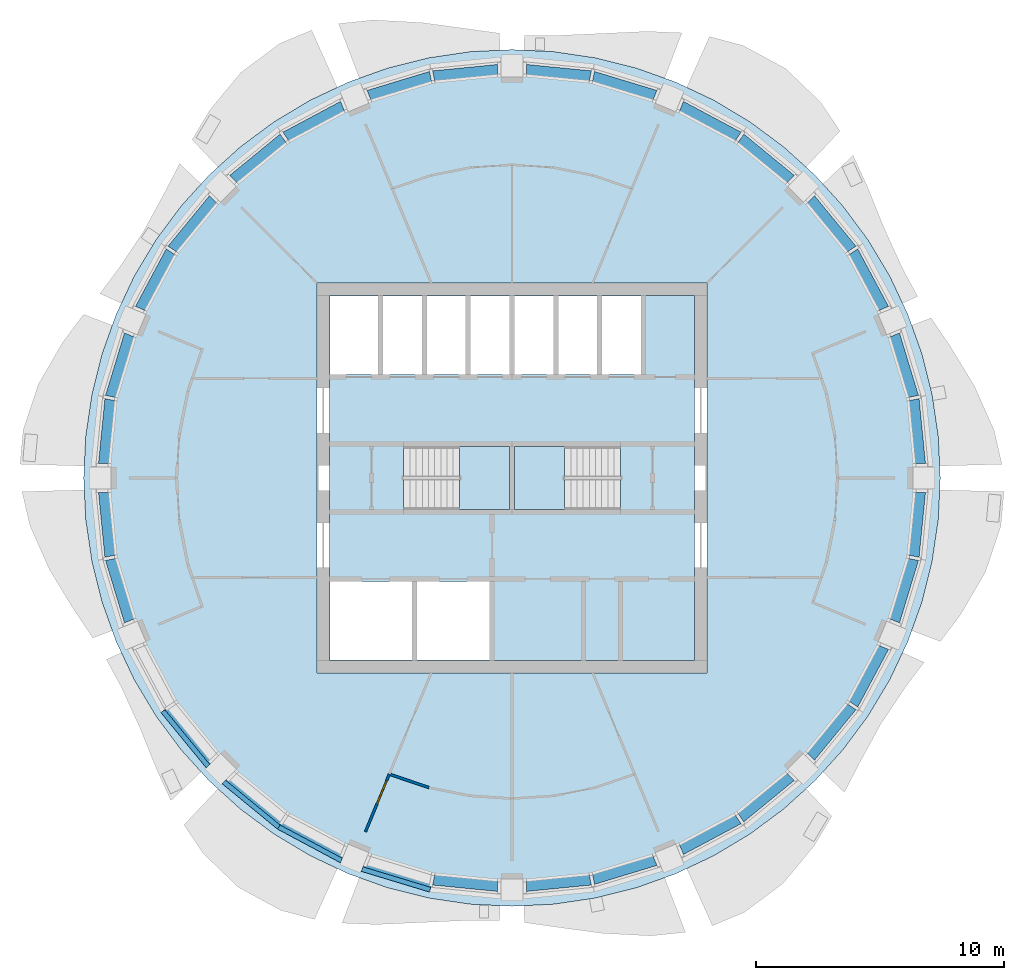
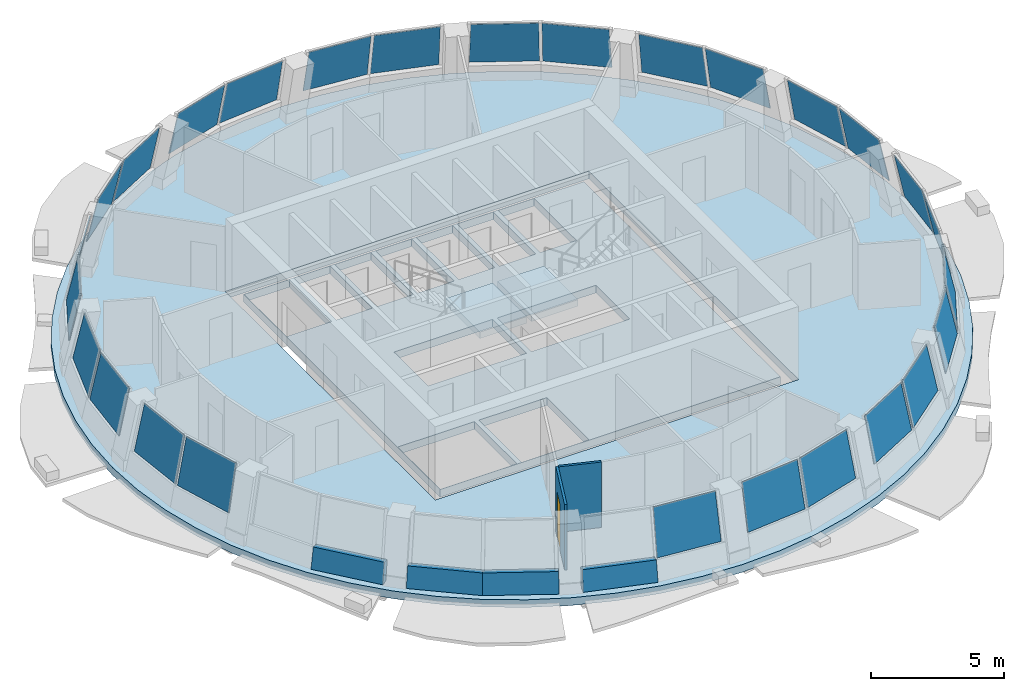
# One storey, part 3 of 11: 27 plates, 6 walls, 4 slabs, 1 door, 1 opening, 16 elements without a shape of their own.
"""IFC4 building model written with IfcOpenShell, lengths in metres."""

from ifc_helpers import new_model, si_unit, direction, frame, frame_2d, origin, place, context, subcontext, project, spatial, polyline, rectangle, outline, extrude, material, layer, layer_set, type_object, element, fill, aggregate, save


model = new_model("IFC4")

# Units and contexts
model_context = context("Model", 3, precision=1e-05, world=origin(), true_north=direction((0.0, 1.0)))
body_context = subcontext(model_context, "Body", "Model", "MODEL_VIEW")
ifc_project = project(units=[si_unit("LENGTHUNIT", "METRE"), si_unit("AREAUNIT", "SQUARE_METRE"), si_unit("VOLUMEUNIT", "CUBIC_METRE"), si_unit("PLANEANGLEUNIT", "RADIAN"), si_unit("MASSUNIT", "GRAM", prefix="KILO")], contexts=[model_context])

# Site, building, storey
site_placement = place(None, origin())
site = spatial("IfcSite", under=ifc_project, at=site_placement, CompositionType="ELEMENT")
building_placement = place(site_placement, origin())
building = spatial("IfcBuilding", under=site, at=building_placement, Name="Polderwave Tower", CompositionType="ELEMENT")
storey_placement = place(building_placement, frame((0.0, 0.0, 204.39990234375)))
storey = spatial("IfcBuildingStorey", under=building, at=storey_placement, Name="L55", CompositionType="ELEMENT", Elevation=204.39990234375)

# Slab
ifc_material_1 = material(Name="Concrete C40/50", Category="concrete")
ifc_layer_1 = layer(ifc_material_1, 0.35009765625)
ifc_layer_set_1 = layer_set([ifc_layer_1], Name="Core floor slab 350")
slab_type_1 = type_object("IfcSlabType", Name="Core floor slab 350", PredefinedType="FLOOR", material=ifc_layer_set_1)
slab_1_placement = place(storey_placement, frame((0.0, 0.0, -0.349853515625)))
element("IfcSlab", 1, at=slab_1_placement, inside=storey, type_object=slab_type_1, Name="L55 core floor", PredefinedType="FLOOR", context=body_context, shape_type="SweptSolid", body=[
    extrude(outline(polyline([(-7.3740234375, -7.3740234375), (7.3740234375, -7.3740234375), (7.3740234375, 7.3740234375), (-7.3740234375, 7.3740234375), (-7.3740234375, -7.3740234375)]), holes=[polyline([(-7.35400390625, -7.35400390625), (-4.037109375, -7.35400390625), (-4.037109375, -4.174072265625), (-7.35400390625, -4.174072265625), (-7.35400390625, -7.35400390625)]), polyline([(-3.8369140625, -7.35400390625), (-0.89990234375, -7.35400390625), (-0.89990234375, -4.174072265625), (-3.8369140625, -4.174072265625), (-3.8369140625, -7.35400390625)]), polyline([(-7.35400390625, 4.174072265625), (-5.405517578125, 4.174072265625), (-5.405517578125, 7.35400390625), (-7.35400390625, 7.35400390625), (-7.35400390625, 4.174072265625)]), polyline([(-5.20556640625, 4.174072265625), (-3.636962890625, 4.174072265625), (-3.636962890625, 7.35400390625), (-5.20556640625, 7.35400390625), (-5.20556640625, 4.174072265625)]), polyline([(-3.43701171875, 4.174072265625), (-1.868408203125, 4.174072265625), (-1.868408203125, 7.35400390625), (-3.43701171875, 7.35400390625), (-3.43701171875, 4.174072265625)]), polyline([(-1.66845703125, 4.174072265625), (-0.10009765625, 4.174072265625), (-0.10009765625, 7.35400390625), (-1.66845703125, 7.35400390625), (-1.66845703125, 4.174072265625)]), polyline([(0.10009765625, 4.174072265625), (1.66845703125, 4.174072265625), (1.66845703125, 7.35400390625), (0.10009765625, 7.35400390625), (0.10009765625, 4.174072265625)]), polyline([(1.868408203125, 4.174072265625), (3.43701171875, 4.174072265625), (3.43701171875, 7.35400390625), (1.868408203125, 7.35400390625), (1.868408203125, 4.174072265625)]), polyline([(3.636962890625, 4.174072265625), (5.20556640625, 4.174072265625), (5.20556640625, 7.35400390625), (3.636962890625, 7.35400390625), (3.636962890625, 4.174072265625)]), polyline([(-4.37353515625, -1.2744140625), (-0.1005859375, -1.2744140625), (-0.1005859375, 1.2744140625), (-4.37353515625, 1.2744140625), (-4.37353515625, -1.2744140625)]), polyline([(0.1005859375, -1.2744140625), (4.37353515625, -1.2744140625), (4.37353515625, 1.2744140625), (0.1005859375, 1.2744140625), (0.1005859375, -1.2744140625)])]), origin(), (0.0, 0.0, 1.0), 0.349853515625),
])

# Curtain wall, plates
ifc_material_2 = material(Name="Aluminium 6063-T6 and glass", Category="aluminium")
curtain_wall_type = type_object("IfcCurtainWallType", Name="Office ribbon glazing, leaning storey wall", PredefinedType="NOTDEFINED", material=ifc_material_2)
curtain_wall_1_placement = place(storey_placement, origin())
curtain_wall_1 = element("IfcCurtainWall", 2, at=curtain_wall_1_placement, inside=storey, type_object=curtain_wall_type, Name="CW9 L55 00", PredefinedType="NOTDEFINED")
ifc_material_3 = material(Name="Glass, low-e laminated double glazing", Category="glass")
ifc_layer_2 = layer(ifc_material_3, 0.031982421875)
ifc_layer_set_2 = layer_set([ifc_layer_2], Name="Office ribbon glazing, leaning storey glass panel 32 mm")
plate_type = type_object("IfcPlateType", Name="Office ribbon glazing, leaning storey glass panel 32 mm", PredefinedType="CURTAIN_PANEL", material=ifc_layer_set_2)
plate_1_placement = place(storey_placement, frame((16.70166015625, 0.579345703125, 0.900146484375), z_axis=(0.972490474507, 0.095870600365, 0.212299564246), x_axis=(-0.098106337181, 0.995175937508, -2.996707e-06)))
plate_1 = element("IfcPlate", 3, at=plate_1_placement, type_object=plate_type, Name="CW9 panel 1", PredefinedType="CURTAIN_PANEL", context=body_context, shape_type="SweptSolid", body=[
    extrude(outline(polyline([(0.0, 0.0), (2.638211608734963, -6.938893903907228e-18), (2.594560379725077, 2.087385413307185), (0.043681864876261266, 2.0876193361042317), (0.0, 0.0)])), origin(), (0.0, 0.0, -1.0), 0.031982421875),
])
plate_2_placement = place(storey_placement, frame((16.41748046875, 3.331787109375, 0.900146484375), z_axis=(0.935147554973, 0.283652535482, 0.212226976473), x_axis=(-0.290263241841, 0.956946837808, -6.76615e-06)))
plate_2 = element("IfcPlate", 4, at=plate_2_placement, type_object=plate_type, Name="CW9 panel 2", PredefinedType="CURTAIN_PANEL", context=body_context, shape_type="SweptSolid", body=[
    extrude(outline(polyline([(0.0, 0.0), (2.6379628489612013, 0.0), (2.594283193629394, 2.08761157212693), (0.043520767627142985, 2.087575646050901), (0.0, 0.0)])), origin(), (0.0, 0.0, -1.0), 0.031982421875),
])
aggregate(curtain_wall_1, [plate_1, plate_2])

curtain_wall_2_placement = place(storey_placement, origin())
curtain_wall_2 = element("IfcCurtainWall", 5, at=curtain_wall_2_placement, inside=storey, type_object=curtain_wall_type, Name="CW9 L55 01", PredefinedType="NOTDEFINED")
plate_3_placement = place(storey_placement, frame((15.208251953125, 6.9267578125, 0.900146484375), z_axis=(0.861908709112, 0.46052153872, 0.212210484028), x_axis=(-0.471255106855, 0.881996952524, 1.352852e-06)))
plate_3 = element("IfcPlate", 6, at=plate_3_placement, type_object=plate_type, Name="CW9 panel 1", PredefinedType="CURTAIN_PANEL", context=body_context, shape_type="SweptSolid", body=[
    extrude(outline(polyline([(0.0, 0.0), (2.6379545804827584, -5.551115123125783e-17), (2.594246361126985, 2.087582367000459), (0.0437803426696205, 2.087589549761852), (0.0, 0.0)])), origin(), (0.0, 0.0, -1.0), 0.031982421875),
])
plate_4_placement = place(storey_placement, frame((13.893310546875, 9.361083984375, 0.900146484375), z_axis=(0.755325783702, 0.619958455083, 0.212448757224), x_axis=(-0.634441351751, 0.772971002812, 1.1752e-08)))
plate_4 = element("IfcPlate", 7, at=plate_4_placement, type_object=plate_type, Name="CW9 panel 2", PredefinedType="CURTAIN_PANEL", context=body_context, shape_type="SweptSolid", body=[
    extrude(outline(polyline([(0.0, 0.0), (2.6382706772691495, 0.0), (2.593920944350844, 2.0876965326576746), (0.0437718440679142, 2.0876965950538975), (0.0, 0.0)])), origin(), (0.0, 0.0, -1.0), 0.031982421875),
])
aggregate(curtain_wall_2, [plate_3, plate_4])

curtain_wall_3_placement = place(storey_placement, origin())
curtain_wall_3 = element("IfcCurtainWall", 8, at=curtain_wall_3_placement, inside=storey, type_object=curtain_wall_type, Name="CW9 L55 02", PredefinedType="NOTDEFINED")
plate_5_placement = place(storey_placement, frame((11.400390625, 12.219482421875, 0.900146484375), z_axis=(0.619958455083, 0.755325783702, 0.212448757224), x_axis=(-0.772971002812, 0.634441351751, -1.1752e-08)))
plate_5 = element("IfcPlate", 9, at=plate_5_placement, type_object=plate_type, Name="CW9 panel 1", PredefinedType="CURTAIN_PANEL", context=body_context, shape_type="SweptSolid", body=[
    extrude(outline(polyline([(0.0, 0.0), (2.6382706772691495, 0.0), (2.5944988332012353, 2.0876965950538975), (0.04434973291830616, 2.0876965326576746), (0.0, 0.0)])), origin(), (0.0, 0.0, -1.0), 0.031982421875),
])
plate_6_placement = place(storey_placement, frame((9.25341796875, 13.965087890625, 0.900146484375), z_axis=(0.460485916161, 0.861863253597, 0.212472240814), x_axis=(-0.8820015561, 0.471246490729, -3.47871e-06)))
plate_6 = element("IfcPlate", 10, at=plate_6_placement, type_object=plate_type, Name="CW9 panel 2", PredefinedType="CURTAIN_PANEL", context=body_context, shape_type="SweptSolid", body=[
    extrude(outline(polyline([(0.0, 0.0), (2.6379545801827975, -2.7755575615628914e-17), (2.594159460962987, 2.087466862399043), (0.0436934416156908, 2.0876982369650943), (0.0, 0.0)])), origin(), (0.0, 0.0, -1.0), 0.031982421875),
])
aggregate(curtain_wall_3, [plate_5, plate_6])

curtain_wall_4_placement = place(storey_placement, origin())
curtain_wall_4 = element("IfcCurtainWall", 11, at=curtain_wall_4_placement, inside=storey, type_object=curtain_wall_type, Name="CW9 L55 03", PredefinedType="NOTDEFINED")
plate_7_placement = place(storey_placement, frame((5.856201171875, 15.65185546875, 0.900146484375), z_axis=(0.283567404591, 0.935098897028, 0.212554886632), x_axis=(-0.956965937298, 0.290200266702, -7.537765e-06)))
plate_7 = element("IfcPlate", 12, at=plate_7_placement, type_object=plate_type, Name="CW9 panel 1", PredefinedType="CURTAIN_PANEL", context=body_context, shape_type="SweptSolid", body=[
    extrude(outline(polyline([(0.0, 0.0), (2.637962848643115, 2.7755575615628914e-17), (2.594696771949398, 2.087516040037508), (0.04377157096692123, 2.087725862674069), (0.0, 0.0)])), origin(), (0.0, 0.0, -1.0), 0.031982421875),
])
plate_8_placement = place(storey_placement, frame((3.204833984375, 16.44287109375, 0.900146484375), z_axis=(0.095907636961, 0.97250159971, 0.212231863147), x_axis=(-0.995172507827, 0.098141120604, 1.0586581e-05)))
plate_8 = element("IfcPlate", 13, at=plate_8_placement, type_object=plate_type, Name="CW9 panel 2", PredefinedType="CURTAIN_PANEL", context=body_context, shape_type="SweptSolid", body=[
    extrude(outline(polyline([(0.0, 0.0), (2.638211605715554, -6.938893903907228e-18), (2.5945536952192647, 2.0875677690976318), (0.04365122302102529, 2.087623984700696), (0.0, 0.0)])), origin(), (0.0, 0.0, -1.0), 0.031982421875),
])
aggregate(curtain_wall_4, [plate_7, plate_8])

curtain_wall_5_placement = place(storey_placement, origin())
curtain_wall_5 = element("IfcCurtainWall", 14, at=curtain_wall_5_placement, inside=storey, type_object=curtain_wall_type, Name="CW9 L55 04", PredefinedType="NOTDEFINED")
plate_9_placement = place(storey_placement, frame((-0.579345703125, 16.70166015625, 0.900146484375), z_axis=(-0.095870600365, 0.972490474507, 0.212299564246), x_axis=(-0.995175937508, -0.098106337181, -2.996707e-06)))
plate_9 = element("IfcPlate", 15, at=plate_9_placement, type_object=plate_type, Name="CW9 panel 1", PredefinedType="CURTAIN_PANEL", context=body_context, shape_type="SweptSolid", body=[
    extrude(outline(polyline([(0.0, 0.0), (2.638211608734963, -6.938893903907228e-18), (2.594560379725077, 2.087385413307185), (0.043681864876261266, 2.0876193361042317), (0.0, 0.0)])), origin(), (0.0, 0.0, -1.0), 0.031982421875),
])
plate_10_placement = place(storey_placement, frame((-3.331787109375, 16.41748046875, 0.900146484375), z_axis=(-0.283652535482, 0.935147554973, 0.212226976473), x_axis=(-0.956946837808, -0.290263241841, -6.76615e-06)))
plate_10 = element("IfcPlate", 16, at=plate_10_placement, type_object=plate_type, Name="CW9 panel 2", PredefinedType="CURTAIN_PANEL", context=body_context, shape_type="SweptSolid", body=[
    extrude(outline(polyline([(0.0, 0.0), (2.6379628489612013, 0.0), (2.594283193629394, 2.08761157212693), (0.043520767627142985, 2.087575646050901), (0.0, 0.0)])), origin(), (0.0, 0.0, -1.0), 0.031982421875),
])
aggregate(curtain_wall_5, [plate_9, plate_10])

curtain_wall_6_placement = place(storey_placement, origin())
curtain_wall_6 = element("IfcCurtainWall", 17, at=curtain_wall_6_placement, inside=storey, type_object=curtain_wall_type, Name="CW9 L55 05", PredefinedType="NOTDEFINED")
plate_11_placement = place(storey_placement, frame((-6.9267578125, 15.208251953125, 0.900146484375), z_axis=(-0.46052153872, 0.861908709112, 0.212210484028), x_axis=(-0.881996952524, -0.471255106855, 1.352852e-06)))
plate_11 = element("IfcPlate", 18, at=plate_11_placement, type_object=plate_type, Name="CW9 panel 1", PredefinedType="CURTAIN_PANEL", context=body_context, shape_type="SweptSolid", body=[
    extrude(outline(polyline([(0.0, 0.0), (2.6379545804827584, -5.551115123125783e-17), (2.594246361126985, 2.087582367000459), (0.0437803426696205, 2.087589549761852), (0.0, 0.0)])), origin(), (0.0, 0.0, -1.0), 0.031982421875),
])
plate_12_placement = place(storey_placement, frame((-9.361083984375, 13.893310546875, 0.900146484375), z_axis=(-0.619958455083, 0.755325783702, 0.212448757224), x_axis=(-0.772971002812, -0.634441351751, 1.1752e-08)))
plate_12 = element("IfcPlate", 19, at=plate_12_placement, type_object=plate_type, Name="CW9 panel 2", PredefinedType="CURTAIN_PANEL", context=body_context, shape_type="SweptSolid", body=[
    extrude(outline(polyline([(0.0, 0.0), (2.6382706772691495, 0.0), (2.593920944350844, 2.0876965326576746), (0.0437718440679142, 2.0876965950538975), (0.0, 0.0)])), origin(), (0.0, 0.0, -1.0), 0.031982421875),
])
aggregate(curtain_wall_6, [plate_11, plate_12])

curtain_wall_7_placement = place(storey_placement, origin())
curtain_wall_7 = element("IfcCurtainWall", 20, at=curtain_wall_7_placement, inside=storey, type_object=curtain_wall_type, Name="CW9 L55 06", PredefinedType="NOTDEFINED")
plate_13_placement = place(storey_placement, frame((-12.219482421875, 11.400390625, 0.900146484375), z_axis=(-0.755325783702, 0.619958455083, 0.212448757224), x_axis=(-0.634441351751, -0.772971002812, -1.1752e-08)))
plate_13 = element("IfcPlate", 21, at=plate_13_placement, type_object=plate_type, Name="CW9 panel 1", PredefinedType="CURTAIN_PANEL", context=body_context, shape_type="SweptSolid", body=[
    extrude(outline(polyline([(0.0, 0.0), (2.6382706772691495, 0.0), (2.5944988332012353, 2.0876965950538975), (0.04434973291830616, 2.0876965326576746), (0.0, 0.0)])), origin(), (0.0, 0.0, -1.0), 0.031982421875),
])
plate_14_placement = place(storey_placement, frame((-13.965087890625, 9.25341796875, 0.900146484375), z_axis=(-0.861863253597, 0.460485916161, 0.212472240814), x_axis=(-0.471246490729, -0.8820015561, -3.47871e-06)))
plate_14 = element("IfcPlate", 22, at=plate_14_placement, type_object=plate_type, Name="CW9 panel 2", PredefinedType="CURTAIN_PANEL", context=body_context, shape_type="SweptSolid", body=[
    extrude(outline(polyline([(0.0, 0.0), (2.6379545801827975, -2.7755575615628914e-17), (2.594159460962987, 2.087466862399043), (0.0436934416156908, 2.0876982369650943), (0.0, 0.0)])), origin(), (0.0, 0.0, -1.0), 0.031982421875),
])
aggregate(curtain_wall_7, [plate_13, plate_14])

curtain_wall_8_placement = place(storey_placement, origin())
curtain_wall_8 = element("IfcCurtainWall", 23, at=curtain_wall_8_placement, inside=storey, type_object=curtain_wall_type, Name="CW9 L55 07", PredefinedType="NOTDEFINED")
plate_15_placement = place(storey_placement, frame((-15.65185546875, 5.856201171875, 0.900146484375), z_axis=(-0.935098897028, 0.283567404591, 0.212554886632), x_axis=(-0.290200266702, -0.956965937298, -7.537765e-06)))
plate_15 = element("IfcPlate", 24, at=plate_15_placement, type_object=plate_type, Name="CW9 panel 1", PredefinedType="CURTAIN_PANEL", context=body_context, shape_type="SweptSolid", body=[
    extrude(outline(polyline([(0.0, 0.0), (2.637962848643115, 2.7755575615628914e-17), (2.594696771949398, 2.087516040037508), (0.04377157096692123, 2.087725862674069), (0.0, 0.0)])), origin(), (0.0, 0.0, -1.0), 0.031982421875),
])
plate_16_placement = place(storey_placement, frame((-16.44287109375, 3.204833984375, 0.900146484375), z_axis=(-0.97250159971, 0.095907636961, 0.212231863147), x_axis=(-0.098141120604, -0.995172507827, 1.0586581e-05)))
plate_16 = element("IfcPlate", 25, at=plate_16_placement, type_object=plate_type, Name="CW9 panel 2", PredefinedType="CURTAIN_PANEL", context=body_context, shape_type="SweptSolid", body=[
    extrude(outline(polyline([(0.0, 0.0), (2.638211605715554, -6.938893903907228e-18), (2.5945536952192647, 2.0875677690976318), (0.04365122302102529, 2.087623984700696), (0.0, 0.0)])), origin(), (0.0, 0.0, -1.0), 0.031982421875),
])
aggregate(curtain_wall_8, [plate_15, plate_16])

curtain_wall_9_placement = place(storey_placement, origin())
curtain_wall_9 = element("IfcCurtainWall", 26, at=curtain_wall_9_placement, inside=storey, type_object=curtain_wall_type, Name="CW9 L55 08", PredefinedType="NOTDEFINED")
plate_17_placement = place(storey_placement, frame((-16.70166015625, -0.579345703125, 0.900146484375), z_axis=(-0.972490474507, -0.095870600365, 0.212299564246), x_axis=(0.098106337181, -0.995175937508, -2.996707e-06)))
plate_17 = element("IfcPlate", 27, at=plate_17_placement, type_object=plate_type, Name="CW9 panel 1", PredefinedType="CURTAIN_PANEL", context=body_context, shape_type="SweptSolid", body=[
    extrude(outline(polyline([(0.0, 0.0), (2.638211608734963, -6.938893903907228e-18), (2.594560379725077, 2.087385413307185), (0.043681864876261266, 2.0876193361042317), (0.0, 0.0)])), origin(), (0.0, 0.0, -1.0), 0.031982421875),
])
plate_18_placement = place(storey_placement, frame((-16.41748046875, -3.331787109375, 0.900146484375), z_axis=(-0.935147554973, -0.283652535482, 0.212226976473), x_axis=(0.290263241841, -0.956946837808, -6.76615e-06)))
plate_18 = element("IfcPlate", 28, at=plate_18_placement, type_object=plate_type, Name="CW9 panel 2", PredefinedType="CURTAIN_PANEL", context=body_context, shape_type="SweptSolid", body=[
    extrude(outline(polyline([(0.0, 0.0), (2.6379628489612013, 0.0), (2.594283193629394, 2.08761157212693), (0.043520767627142985, 2.087575646050901), (0.0, 0.0)])), origin(), (0.0, 0.0, -1.0), 0.031982421875),
])
aggregate(curtain_wall_9, [plate_17, plate_18])

# Curtain wall, plate
curtain_wall_10_placement = place(storey_placement, origin())
curtain_wall_10 = element("IfcCurtainWall", 29, at=curtain_wall_10_placement, inside=storey, type_object=curtain_wall_type, Name="CW9 L55 11", PredefinedType="NOTDEFINED")
plate_19_placement = place(storey_placement, frame((-3.204833984375, -16.44287109375, 0.900146484375), z_axis=(-0.095907636961, -0.97250159971, 0.212231863147), x_axis=(0.995172507827, -0.098141120604, 1.0586581e-05)))
plate_19 = element("IfcPlate", 30, at=plate_19_placement, type_object=plate_type, Name="CW9 panel 2", PredefinedType="CURTAIN_PANEL", context=body_context, shape_type="SweptSolid", body=[
    extrude(outline(polyline([(0.0, 0.0), (2.638211605715554, -6.938893903907228e-18), (2.5945536952192647, 2.0875677690976318), (0.04365122302102529, 2.087623984700696), (0.0, 0.0)])), origin(), (0.0, 0.0, -1.0), 0.031982421875),
])
aggregate(curtain_wall_10, [plate_19])

# Curtain wall, plates
curtain_wall_11_placement = place(storey_placement, origin())
curtain_wall_11 = element("IfcCurtainWall", 31, at=curtain_wall_11_placement, inside=storey, type_object=curtain_wall_type, Name="CW9 L55 12", PredefinedType="NOTDEFINED")
plate_20_placement = place(storey_placement, frame((0.579345703125, -16.70166015625, 0.900146484375), z_axis=(0.095870600365, -0.972490474507, 0.212299564246), x_axis=(0.995175937508, 0.098106337181, -2.996707e-06)))
plate_20 = element("IfcPlate", 32, at=plate_20_placement, type_object=plate_type, Name="CW9 panel 1", PredefinedType="CURTAIN_PANEL", context=body_context, shape_type="SweptSolid", body=[
    extrude(outline(polyline([(0.0, 0.0), (2.638211608734963, -6.938893903907228e-18), (2.594560379725077, 2.087385413307185), (0.043681864876261266, 2.0876193361042317), (0.0, 0.0)])), origin(), (0.0, 0.0, -1.0), 0.031982421875),
])
plate_21_placement = place(storey_placement, frame((3.331787109375, -16.41748046875, 0.900146484375), z_axis=(0.283652535482, -0.935147554973, 0.212226976473), x_axis=(0.956946837808, 0.290263241841, -6.76615e-06)))
plate_21 = element("IfcPlate", 33, at=plate_21_placement, type_object=plate_type, Name="CW9 panel 2", PredefinedType="CURTAIN_PANEL", context=body_context, shape_type="SweptSolid", body=[
    extrude(outline(polyline([(0.0, 0.0), (2.6379628489612013, 0.0), (2.594283193629394, 2.08761157212693), (0.043520767627142985, 2.087575646050901), (0.0, 0.0)])), origin(), (0.0, 0.0, -1.0), 0.031982421875),
])
aggregate(curtain_wall_11, [plate_20, plate_21])

curtain_wall_12_placement = place(storey_placement, origin())
curtain_wall_12 = element("IfcCurtainWall", 34, at=curtain_wall_12_placement, inside=storey, type_object=curtain_wall_type, Name="CW9 L55 13", PredefinedType="NOTDEFINED")
plate_22_placement = place(storey_placement, frame((6.9267578125, -15.208251953125, 0.900146484375), z_axis=(0.46052153872, -0.861908709112, 0.212210484028), x_axis=(0.881996952524, 0.471255106855, 1.352852e-06)))
plate_22 = element("IfcPlate", 35, at=plate_22_placement, type_object=plate_type, Name="CW9 panel 1", PredefinedType="CURTAIN_PANEL", context=body_context, shape_type="SweptSolid", body=[
    extrude(outline(polyline([(0.0, 0.0), (2.6379545804827584, -5.551115123125783e-17), (2.594246361126985, 2.087582367000459), (0.0437803426696205, 2.087589549761852), (0.0, 0.0)])), origin(), (0.0, 0.0, -1.0), 0.031982421875),
])
plate_23_placement = place(storey_placement, frame((9.361083984375, -13.893310546875, 0.900146484375), z_axis=(0.619958455083, -0.755325783702, 0.212448757224), x_axis=(0.772971002812, 0.634441351751, 1.1752e-08)))
plate_23 = element("IfcPlate", 36, at=plate_23_placement, type_object=plate_type, Name="CW9 panel 2", PredefinedType="CURTAIN_PANEL", context=body_context, shape_type="SweptSolid", body=[
    extrude(outline(polyline([(0.0, 0.0), (2.6382706772691495, 0.0), (2.593920944350844, 2.0876965326576746), (0.0437718440679142, 2.0876965950538975), (0.0, 0.0)])), origin(), (0.0, 0.0, -1.0), 0.031982421875),
])
aggregate(curtain_wall_12, [plate_22, plate_23])

curtain_wall_13_placement = place(storey_placement, origin())
curtain_wall_13 = element("IfcCurtainWall", 37, at=curtain_wall_13_placement, inside=storey, type_object=curtain_wall_type, Name="CW9 L55 14", PredefinedType="NOTDEFINED")
plate_24_placement = place(storey_placement, frame((12.219482421875, -11.400390625, 0.900146484375), z_axis=(0.755325783702, -0.619958455083, 0.212448757224), x_axis=(0.634441351751, 0.772971002812, -1.1752e-08)))
plate_24 = element("IfcPlate", 38, at=plate_24_placement, type_object=plate_type, Name="CW9 panel 1", PredefinedType="CURTAIN_PANEL", context=body_context, shape_type="SweptSolid", body=[
    extrude(outline(polyline([(0.0, 0.0), (2.6382706772691495, 0.0), (2.5944988332012353, 2.0876965950538975), (0.04434973291830616, 2.0876965326576746), (0.0, 0.0)])), origin(), (0.0, 0.0, -1.0), 0.031982421875),
])
plate_25_placement = place(storey_placement, frame((13.965087890625, -9.25341796875, 0.900146484375), z_axis=(0.861863253597, -0.460485916161, 0.212472240814), x_axis=(0.471246490729, 0.8820015561, -3.47871e-06)))
plate_25 = element("IfcPlate", 39, at=plate_25_placement, type_object=plate_type, Name="CW9 panel 2", PredefinedType="CURTAIN_PANEL", context=body_context, shape_type="SweptSolid", body=[
    extrude(outline(polyline([(0.0, 0.0), (2.6379545801827975, -2.7755575615628914e-17), (2.594159460962987, 2.087466862399043), (0.0436934416156908, 2.0876982369650943), (0.0, 0.0)])), origin(), (0.0, 0.0, -1.0), 0.031982421875),
])
aggregate(curtain_wall_13, [plate_24, plate_25])

curtain_wall_14_placement = place(storey_placement, origin())
curtain_wall_14 = element("IfcCurtainWall", 40, at=curtain_wall_14_placement, inside=storey, type_object=curtain_wall_type, Name="CW9 L55 15", PredefinedType="NOTDEFINED")
plate_26_placement = place(storey_placement, frame((15.65185546875, -5.856201171875, 0.900146484375), z_axis=(0.935098897028, -0.283567404591, 0.212554886632), x_axis=(0.290200266702, 0.956965937298, -7.537765e-06)))
plate_26 = element("IfcPlate", 41, at=plate_26_placement, type_object=plate_type, Name="CW9 panel 1", PredefinedType="CURTAIN_PANEL", context=body_context, shape_type="SweptSolid", body=[
    extrude(outline(polyline([(0.0, 0.0), (2.637962848643115, 2.7755575615628914e-17), (2.594696771949398, 2.087516040037508), (0.04377157096692123, 2.087725862674069), (0.0, 0.0)])), origin(), (0.0, 0.0, -1.0), 0.031982421875),
])
plate_27_placement = place(storey_placement, frame((16.44287109375, -3.204833984375, 0.900146484375), z_axis=(0.97250159971, -0.095907636961, 0.212231863147), x_axis=(0.098141120604, 0.995172507827, 1.0586581e-05)))
plate_27 = element("IfcPlate", 42, at=plate_27_placement, type_object=plate_type, Name="CW9 panel 2", PredefinedType="CURTAIN_PANEL", context=body_context, shape_type="SweptSolid", body=[
    extrude(outline(polyline([(0.0, 0.0), (2.638211605715554, -6.938893903907228e-18), (2.5945536952192647, 2.0875677690976318), (0.04365122302102529, 2.087623984700696), (0.0, 0.0)])), origin(), (0.0, 0.0, -1.0), 0.031982421875),
])
aggregate(curtain_wall_14, [plate_26, plate_27])

# Slab
ifc_layer_3 = layer(ifc_material_1, 0.35009765625)
ifc_layer_set_3 = layer_set([ifc_layer_3], Name="PT FLOOR SLAB 350 C40/50")
slab_type_2 = type_object("IfcSlabType", Name="PT FLOOR SLAB 350 C40/50", PredefinedType="FLOOR", material=ifc_layer_set_3)
slab_2_placement = place(storey_placement, frame((0.0, 0.0, -0.349853515625)))
element("IfcSlab", 43, at=slab_2_placement, inside=storey, type_object=slab_type_2, Name="ST-SLAB-L55", PredefinedType="FLOOR", context=body_context, shape_type="SweptSolid", body=[
    extrude(outline(polyline([(17.300048828125, 0.0), (17.216796875, 1.69580078125), (16.967529296875, 3.375), (16.55517578125, 5.02197265625), (15.983154296875, 6.620361328125), (15.257080078125, 8.1552734375), (14.384521484375, 9.611328125), (13.373046875, 10.97509765625), (12.23291015625, 12.23291015625), (10.97509765625, 13.373046875), (9.611328125, 14.384521484375), (8.1552734375, 15.257080078125), (6.620361328125, 15.983154296875), (5.02197265625, 16.55517578125), (3.375, 16.967529296875), (1.69580078125, 17.216796875), (0.0, 17.300048828125), (-1.69580078125, 17.216796875), (-3.375, 16.967529296875), (-5.02197265625, 16.55517578125), (-6.620361328125, 15.983154296875), (-8.1552734375, 15.257080078125), (-9.611328125, 14.384521484375), (-10.97509765625, 13.373046875), (-12.23291015625, 12.23291015625), (-13.373046875, 10.97509765625), (-14.384521484375, 9.611328125), (-15.257080078125, 8.1552734375), (-15.983154296875, 6.620361328125), (-16.55517578125, 5.02197265625), (-16.967529296875, 3.375), (-17.216796875, 1.69580078125), (-17.300048828125, 0.0), (-17.216796875, -1.69580078125), (-16.967529296875, -3.375), (-16.55517578125, -5.02197265625), (-15.983154296875, -6.620361328125), (-15.257080078125, -8.1552734375), (-14.384521484375, -9.611328125), (-13.373046875, -10.97509765625), (-12.23291015625, -12.23291015625), (-10.97509765625, -13.373046875), (-9.611328125, -14.384521484375), (-8.1552734375, -15.257080078125), (-6.620361328125, -15.983154296875), (-5.02197265625, -16.55517578125), (-3.375, -16.967529296875), (-1.69580078125, -17.216796875), (0.0, -17.300048828125), (1.69580078125, -17.216796875), (3.375, -16.967529296875), (5.02197265625, -16.55517578125), (6.620361328125, -15.983154296875), (8.1552734375, -15.257080078125), (9.611328125, -14.384521484375), (10.97509765625, -13.373046875), (12.23291015625, -12.23291015625), (13.373046875, -10.97509765625), (14.384521484375, -9.611328125), (15.257080078125, -8.1552734375), (15.983154296875, -6.620361328125), (16.55517578125, -5.02197265625), (16.967529296875, -3.375), (17.216796875, -1.69580078125), (17.300048828125, 0.0)]), holes=[polyline([(-7.8740234375, -7.8740234375), (7.8740234375, -7.8740234375), (7.8740234375, 7.8740234375), (-7.8740234375, 7.8740234375), (-7.8740234375, -7.8740234375)])]), origin(), (0.0, 0.0, 1.0), 0.349853515625),
])

# Stair, slab
stair_type = type_object("IfcStairType", Name="Exit stair 1200 x 20 risers", PredefinedType="HALF_TURN_STAIR", material=ifc_material_1)
stair_1_placement = place(storey_placement, origin())
stair_1 = element("IfcStair", 44, at=stair_1_placement, inside=storey, type_object=stair_type, Name="L55 Exit stair A", PredefinedType="HALF_TURN_STAIR")
ifc_layer_4 = layer(ifc_material_1, 0.300048828125)
ifc_layer_set_4 = layer_set([ifc_layer_4], Name="Stair landing 300")
slab_type_3 = type_object("IfcSlabType", Name="Stair landing 300", PredefinedType="LANDING", material=ifc_layer_set_4)
slab_3_placement = place(storey_placement, frame((0.0, 0.0, 1.375)))
slab_3 = element("IfcSlab", 45, at=slab_3_placement, type_object=slab_type_3, Name="ST-A landing 1", PredefinedType="LANDING", context=body_context, shape_type="SweptSolid", body=[
    extrude(outline(polyline([(-2.1240234375, -1.27490234375), (-0.10009765625, -1.27490234375), (-0.10009765625, 1.27490234375), (-2.1240234375, 1.27490234375), (-2.1240234375, -1.27490234375)])), origin(), (0.0, 0.0, 1.0), 0.300048828125),
])
aggregate(stair_1, [slab_3])

stair_2_placement = place(storey_placement, origin())
stair_2 = element("IfcStair", 46, at=stair_2_placement, inside=storey, type_object=stair_type, Name="L55 Exit stair B", PredefinedType="HALF_TURN_STAIR")
slab_4_placement = place(storey_placement, frame((0.0, 0.0, 1.375)))
slab_4 = element("IfcSlab", 47, at=slab_4_placement, type_object=slab_type_3, Name="ST-B landing 1", PredefinedType="LANDING", context=body_context, shape_type="SweptSolid", body=[
    extrude(outline(polyline([(2.1240234375, 1.27490234375), (0.10009765625, 1.27490234375), (0.10009765625, -1.27490234375), (2.1240234375, -1.27490234375), (2.1240234375, 1.27490234375)])), origin(), (0.0, 0.0, 1.0), 0.300048828125),
])
aggregate(stair_2, [slab_4])

# Walls
ifc_material_4 = material(Name="Concrete C50/60 (board-marked)", Category="concrete")
ifc_layer_5 = layer(ifc_material_4, 0.300048828125)
ifc_layer_set_5 = layer_set([ifc_layer_5], Name="Concrete spandrel upstand C50/60")
wall_type_1 = type_object("IfcWallType", Name="Concrete spandrel upstand C50/60", PredefinedType="SOLIDWALL", material=ifc_layer_set_5)
wall_1_placement = place(storey_placement, frame((-14.18115234375, -9.4755859375, 0.0), z_axis=(-0.755401474704, -0.619877353438, 0.212416286358), x_axis=(0.634353847381, -0.77304281661, 4.54494e-07)))
element("IfcWall", 48, at=wall_1_placement, inside=storey, type_object=wall_type_1, Name="Spandrel L55 10b", PredefinedType="SOLIDWALL", context=body_context, shape_type="SweptSolid", body=[
    extrude(outline(polyline([(0.0, 0.0), (2.888789702630808, 5.551115123125783e-17), (2.86933526156926, 0.9211668830901925), (0.0194015171973738, 0.9211695522174551), (0.0, 0.0)])), origin(), (0.0, 0.0, -1.0), 0.300048828125),
])
wall_2_placement = place(storey_placement, frame((-11.708740234375, -12.3486328125, 0.0), z_axis=(-0.619877353438, -0.755401474704, 0.212416286358), x_axis=(0.77304281661, -0.634353847381, -4.54494e-07)))
element("IfcWall", 49, at=wall_2_placement, inside=storey, type_object=wall_type_1, Name="Spandrel L55 11a", PredefinedType="SOLIDWALL", context=body_context, shape_type="SweptSolid", body=[
    extrude(outline(polyline([(0.0, 0.0), (2.888789702630808, -5.551115123125783e-17), (2.869388185433434, 0.921169552217455), (0.01945444106154769, 0.9211668830901925), (0.0, 0.0)])), origin(), (0.0, 0.0, -1.0), 0.300048828125),
])
wall_3_placement = place(storey_placement, frame((-9.4755859375, -14.18115234375, 0.0), z_axis=(-0.460433644275, -0.861898085138, 0.212444228104), x_axis=(0.882032067156, -0.471189380725, 6.6202e-08)))
element("IfcWall", 50, at=wall_3_placement, inside=storey, type_object=wall_type_1, Name="Spandrel L55 11b", PredefinedType="SOLIDWALL", context=body_context, shape_type="SweptSolid", body=[
    extrude(outline(polyline([(0.0, 0.0), (2.888615100191614, 5.551115123125783e-17), (2.869352703083372, 0.9209239056599307), (0.019182542241019847, 0.9211741382130918), (0.0, 0.0)])), origin(), (0.0, 0.0, -1.0), 0.300048828125),
])
wall_4_placement = place(storey_placement, frame((-6.091796875, -15.889404296875, 0.0), z_axis=(-0.28338395091, -0.935152492223, 0.212563761391), x_axis=(0.957023433845, -0.29001059817, 4.460531e-06)))
element("IfcWall", 51, at=wall_4_placement, inside=storey, type_object=wall_type_1, Name="Spandrel L55 12a", PredefinedType="SOLIDWALL", context=body_context, shape_type="SweptSolid", body=[
    extrude(outline(polyline([(0.0, 0.0), (2.8885260507207984, 0.0), (2.869278186481872, 0.9209355015571417), (0.019219181632370762, 0.9212115477480832), (0.0, 0.0)])), origin(), (0.0, 0.0, -1.0), 0.300048828125),
])

# Wall, opening, door
ifc_material_5 = material(Name="Plasterboard on steel studs", Category="steel")
ifc_layer_6 = layer(ifc_material_5, 0.10009765625)
ifc_layer_set_6 = layer_set([ifc_layer_6], Name="Partition 100 mm plasterboard on steel studs")
wall_type_2 = type_object("IfcWallType", Name="Partition 100 mm plasterboard on steel studs", PredefinedType="PARTITIONING", material=ifc_layer_set_6)
wall_5_placement = place(storey_placement, frame((-4.955810546875, -11.964111328125, 0.0), z_axis=(0.0, 0.0, 1.0), x_axis=(-0.382654099242, -0.923891682143, 0.0)))
wall_5 = element("IfcWall", 52, at=wall_5_placement, inside=storey, type_object=wall_type_2, Name="IN-L55-W039", PredefinedType="PARTITIONING", context=body_context, shape_type="SweptSolid", body=[
    extrude(rectangle(XDim=2.520263671875, YDim=0.10009765625, at=frame_2d((1.26025390625, 0.0))), origin(), (0.0, 0.0, 1.0), 3.0),
])
opening_placement = place(wall_5_placement, frame((0.300048828125, 0.0, 0.0)))
opening = element("IfcOpeningElement", 53, at=opening_placement, cuts=wall_5, Name="Opening L55-D64", PredefinedType="OPENING", context=body_context, shape_type="SweptSolid", body=[
    extrude(rectangle(XDim=1.0, YDim=2.10009765625, at=frame_2d((0.5, 1.050048828125))), frame((0.0, 0.06005859375, 0.0), z_axis=(0.0, -1.0, 0.0), x_axis=(1.0, 0.0, 0.0)), (0.0, 0.0, 1.0), 0.1201171875),
])
ifc_material_6 = material(Name="Timber veneer door leaf", Category="wood")
door_type = type_object("IfcDoorType", Name="Single door 1000 x 2100", OperationType="NOTDEFINED", PredefinedType="DOOR", material=ifc_material_6)
door_placement = place(opening_placement, origin())
door = element("IfcDoor", 54, at=door_placement, inside=storey, type_object=door_type, Name="Door L55-D64", OperationType="SINGLE_SWING_LEFT", OverallHeight=2.10009765625, OverallWidth=1.0, PredefinedType="DOOR", context=body_context, shape_type="SweptSolid", body=[
    extrude(rectangle(XDim=1.0, YDim=2.10009765625, at=frame_2d((0.5, 1.050048828125))), frame((0.0, 0.02490234375, 0.0), z_axis=(0.0, -1.0, 0.0), x_axis=(1.0, 0.0, 0.0)), (0.0, 0.0, 1.0), 0.050048828125),
])
fill(opening, door)

# Wall
ifc_material_7 = material(Name="Moisture-resistant board on steel studs, tiled", Category="steel")
ifc_layer_7 = layer(ifc_material_7, 0.10498046875)
ifc_layer_set_7 = layer_set([ifc_layer_7], Name="Partition 105 mm wet room board and tile")
wall_type_3 = type_object("IfcWallType", Name="Partition 105 mm wet room board and tile", PredefinedType="PARTITIONING", material=ifc_layer_set_7)
wall_6_placement = place(storey_placement, frame((-3.35498046875, -12.507568359375, 0.0), z_axis=(0.0, 0.0, 1.0), x_axis=(-0.946921060296, 0.321466181063, 0.0)))
element("IfcWall", 55, at=wall_6_placement, inside=storey, type_object=wall_type_3, Name="IN-L55-W040", PredefinedType="PARTITIONING", context=body_context, shape_type="SweptSolid", body=[
    extrude(rectangle(XDim=1.63427734375, YDim=0.10498046875, at=frame_2d((0.817138671875, 0.0))), origin(), (0.0, 0.0, 1.0), 3.0),
])

save(model, "model.ifc")
